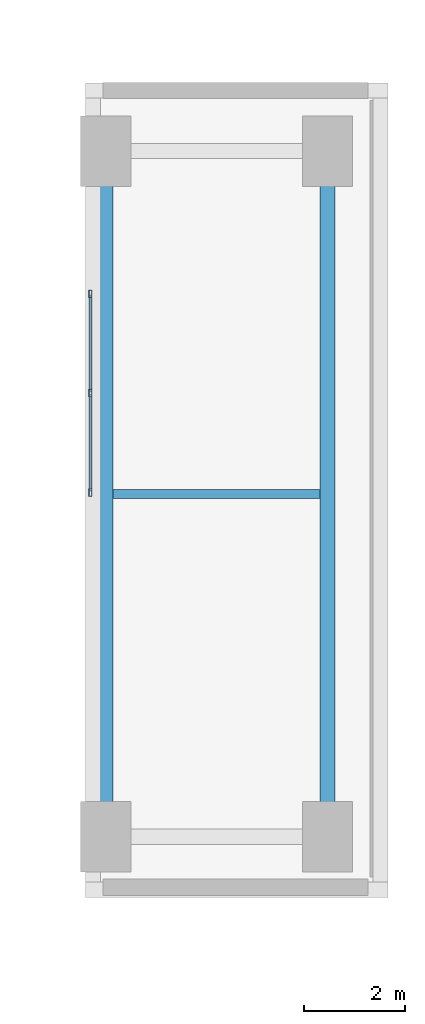
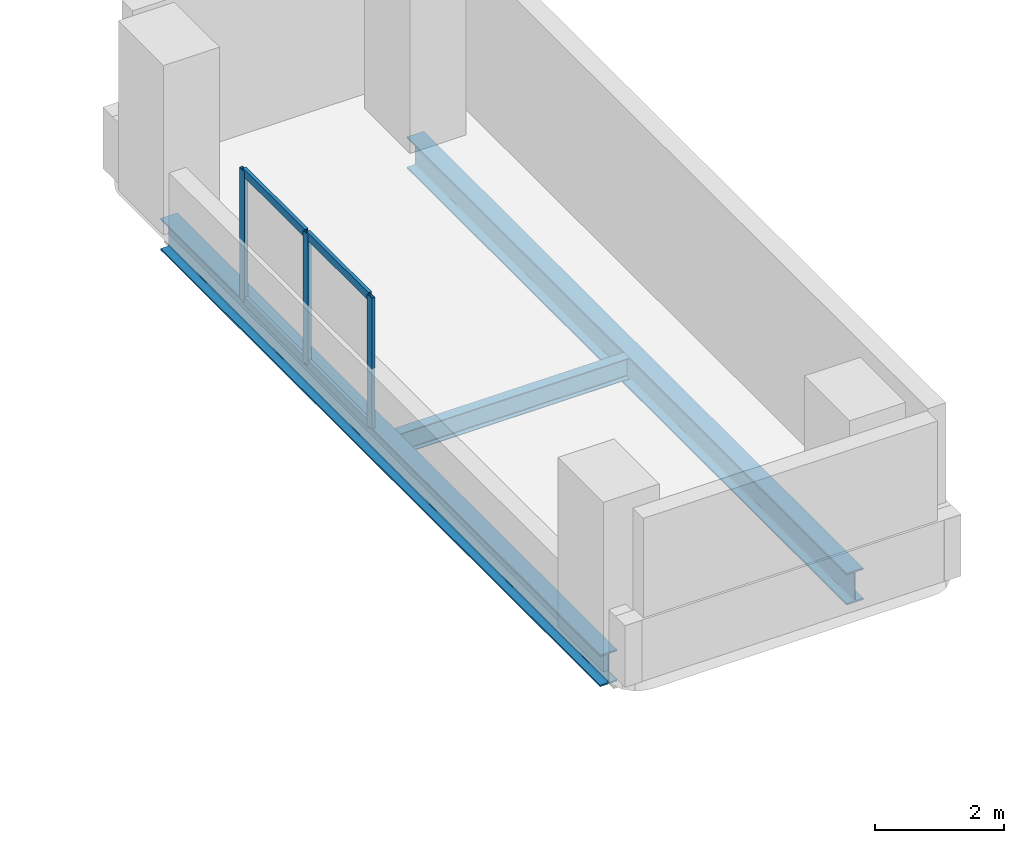
# One storey, part 4 of 12: 7 members, 3 beams, 1 element without a shape of its own.
"""IFC4 building model written with IfcOpenShell, lengths in metres."""

from ifc_helpers import new_model, si_unit, direction, frame, origin, origin_2d, place, context, subcontext, project, spatial, hollow_rectangle, i_section, extrude, material, material_profile, profile_set, type_object, element, aggregate, save


model = new_model("IFC4")

# Units and contexts
model_context = context("Model", 3, precision=1e-05, world=origin(), true_north=direction((0.0, 1.0)))
body_context = subcontext(model_context, "Body", "Model", "MODEL_VIEW")
ifc_project = project(units=[si_unit("LENGTHUNIT", "METRE"), si_unit("AREAUNIT", "SQUARE_METRE"), si_unit("VOLUMEUNIT", "CUBIC_METRE"), si_unit("PLANEANGLEUNIT", "RADIAN"), si_unit("MASSUNIT", "GRAM", prefix="KILO")], contexts=[model_context])

# Site, building, storey
site_placement = place(None, origin())
site = spatial("IfcSite", under=ifc_project, at=site_placement, CompositionType="ELEMENT")
building_placement = place(site_placement, origin())
building = spatial("IfcBuilding", under=site, at=building_placement, Name="Kuzgunbayir Cultural Tower", CompositionType="ELEMENT")
storey_placement = place(building_placement, frame((0.0, 0.0, 30.199951171875)))
storey = spatial("IfcBuildingStorey", under=building, at=storey_placement, Name="L07", CompositionType="ELEMENT", Elevation=30.199951171875)

# Beams
ifc_material_1 = material(Name="Steel S355J2", Category="steel")
ifc_material_profile_1 = material_profile(ifc_material_1, i_section(OverallWidth=0.300048828125, OverallDepth=0.60009765625, WebThickness=0.015380859375, FlangeThickness=0.030029296875, FilletRadius=0.027099609375, at=origin_2d()), Name="HEB 600")
ifc_profile_set_1 = profile_set([ifc_material_profile_1], Name="Steel S355J2")
beam_type_1 = type_object("IfcBeamType", Name="BM-EXT-HEB600", PredefinedType="BEAM", material=ifc_profile_set_1)
for number, where, z_axis, x_axis, name in (
    (1, (41.199951171875, 27.60009765625, -0.530029296875), (0.0, 1.0, 0.0), (-1.0, 0.0, 0.0), "L07 Portal Pier West Girder"),
    (2, (45.60009765625, 27.60009765625, -0.530029296875), (0.0, 1.0, 0.0), (-1.0, 0.0, 0.0), "L07 Portal Pier East Girder"),
):
    element("IfcBeam", number, at=place(storey_placement, frame(where, z_axis=z_axis, x_axis=x_axis)), inside=storey, type_object=beam_type_1, Name=name, PredefinedType="BEAM", context=body_context, shape_type="SweptSolid", body=[
        extrude(i_section(OverallWidth=0.300048828125, OverallDepth=0.60009765625, WebThickness=0.015380859375, FlangeThickness=0.030029296875, FilletRadius=0.027099609375, at=origin_2d()), origin(), (0.0, 0.0, 1.0), 13.599853515625),
    ])
ifc_material_profile_2 = material_profile(ifc_material_1, i_section(OverallWidth=0.179931640625, OverallDepth=0.39990234375, WebThickness=0.008544921875, FlangeThickness=0.013427734375, FilletRadius=0.02099609375, at=origin_2d()), Name="IPE 400")
ifc_profile_set_2 = profile_set([ifc_material_profile_2], Name="Steel S355J2")
beam_type_2 = type_object("IfcBeamType", Name="BM-JST-IPE400", PredefinedType="JOIST", material=ifc_profile_set_2)
beam_placement = place(storey_placement, frame((41.35009765625, 34.39990234375, -0.429931640625), z_axis=(1.0, 0.0, 0.0), x_axis=(0.0, 1.0, 0.0)))
element("IfcBeam", 3, at=beam_placement, inside=storey, type_object=beam_type_2, Name="L07 Portal Pier Joist", PredefinedType="JOIST", context=body_context, shape_type="SweptSolid", body=[
    extrude(i_section(OverallWidth=0.179931640625, OverallDepth=0.39990234375, WebThickness=0.008544921875, FlangeThickness=0.013427734375, FilletRadius=0.02099609375, at=origin_2d()), origin(), (0.0, 0.0, 1.0), 4.099853515625),
])

# Curtain wall, members
ifc_material_2 = material(Name="Anodised Aluminium Framing", Category="aluminium")
curtain_wall_type = type_object("IfcCurtainWallType", Name="CW02-PORTAL-SOFFIT", PredefinedType="NOTDEFINED", material=ifc_material_2)
curtain_wall_placement = place(storey_placement, origin())
curtain_wall = element("IfcCurtainWall", 4, at=curtain_wall_placement, inside=storey, type_object=curtain_wall_type, Name="L07 Void-Portal East Jamb Curtain Wall", PredefinedType="NOTDEFINED")
ifc_material_profile_3 = material_profile(ifc_material_2, hollow_rectangle(XDim=0.06005859375, YDim=0.14990234375, WallThickness=0.00390625, at=origin_2d()), Name="RHS 150x60x4")
ifc_profile_set_3 = profile_set([ifc_material_profile_3], Name="Anodised Aluminium Framing")
member_type_1 = type_object("IfcMemberType", Name="MEM-CW-MULLION-150", PredefinedType="MULLION", material=ifc_profile_set_3)
member_1_placement = place(storey_placement, frame((40.89990234375, 34.429931640625, 0.0), z_axis=(0.0, 0.0, 1.0), x_axis=(-1.0, 0.0, 0.0)))
member_1 = element("IfcMember", 5, at=member_1_placement, type_object=member_type_1, Name="CW02 mullion 1", PredefinedType="MULLION", context=body_context, shape_type="SweptSolid", body=[
    extrude(hollow_rectangle(XDim=0.06005859375, YDim=0.14990234375, WallThickness=0.00390625, at=origin_2d()), origin(), (0.0, 0.0, 1.0), 2.469970703125),
])
member_2_placement = place(storey_placement, frame((40.89990234375, 36.39990234375, 0.0), z_axis=(0.0, 0.0, 1.0), x_axis=(-1.0, 0.0, 0.0)))
member_2 = element("IfcMember", 6, at=member_2_placement, type_object=member_type_1, Name="CW02 mullion 2", PredefinedType="MULLION", context=body_context, shape_type="SweptSolid", body=[
    extrude(hollow_rectangle(XDim=0.06005859375, YDim=0.14990234375, WallThickness=0.00390625, at=origin_2d()), origin(), (0.0, 0.0, 1.0), 2.469970703125),
])
member_3_placement = place(storey_placement, frame((40.89990234375, 38.3701171875, 0.0), z_axis=(0.0, 0.0, 1.0), x_axis=(-1.0, 0.0, 0.0)))
member_3 = element("IfcMember", 7, at=member_3_placement, type_object=member_type_1, Name="CW02 mullion 3", PredefinedType="MULLION", context=body_context, shape_type="SweptSolid", body=[
    extrude(hollow_rectangle(XDim=0.06005859375, YDim=0.14990234375, WallThickness=0.00390625, at=origin_2d()), origin(), (0.0, 0.0, 1.0), 2.469970703125),
])
ifc_material_profile_4 = material_profile(ifc_material_2, hollow_rectangle(XDim=0.06005859375, YDim=0.14990234375, WallThickness=0.00390625, at=origin_2d()), Name="RHS 150x60x4")
ifc_profile_set_4 = profile_set([ifc_material_profile_4], Name="Anodised Aluminium Framing")
member_type_2 = type_object("IfcMemberType", Name="MEM-CW-TRANSOM-150", PredefinedType="USERDEFINED", material=ifc_profile_set_4)
member_4_placement = place(storey_placement, frame((40.89990234375, 34.4599609375, 0.030029296875), z_axis=(0.0, 1.0, 0.0), x_axis=(-1.0, 0.0, 0.0)))
member_4 = element("IfcMember", 8, at=member_4_placement, type_object=member_type_2, Name="CW02 transom 1.1", ObjectType="TRANSOM", PredefinedType="USERDEFINED", context=body_context, shape_type="SweptSolid", body=[
    extrude(hollow_rectangle(XDim=0.06005859375, YDim=0.14990234375, WallThickness=0.00390625, at=origin_2d()), origin(), (0.0, 0.0, 1.0), 1.91015625),
])
member_5_placement = place(storey_placement, frame((40.89990234375, 34.4599609375, 2.43994140625), z_axis=(0.0, 1.0, 0.0), x_axis=(-1.0, 0.0, 0.0)))
member_5 = element("IfcMember", 9, at=member_5_placement, type_object=member_type_2, Name="CW02 transom 1.2", ObjectType="TRANSOM", PredefinedType="USERDEFINED", context=body_context, shape_type="SweptSolid", body=[
    extrude(hollow_rectangle(XDim=0.06005859375, YDim=0.14990234375, WallThickness=0.00390625, at=origin_2d()), origin(), (0.0, 0.0, 1.0), 1.91015625),
])
member_6_placement = place(storey_placement, frame((40.89990234375, 36.429931640625, 0.030029296875), z_axis=(0.0, 1.0, 0.0), x_axis=(-1.0, 0.0, 0.0)))
member_6 = element("IfcMember", 10, at=member_6_placement, type_object=member_type_2, Name="CW02 transom 2.1", ObjectType="TRANSOM", PredefinedType="USERDEFINED", context=body_context, shape_type="SweptSolid", body=[
    extrude(hollow_rectangle(XDim=0.06005859375, YDim=0.14990234375, WallThickness=0.00390625, at=origin_2d()), origin(), (0.0, 0.0, 1.0), 1.91015625),
])
member_7_placement = place(storey_placement, frame((40.89990234375, 36.429931640625, 2.43994140625), z_axis=(0.0, 1.0, 0.0), x_axis=(-1.0, 0.0, 0.0)))
member_7 = element("IfcMember", 11, at=member_7_placement, type_object=member_type_2, Name="CW02 transom 2.2", ObjectType="TRANSOM", PredefinedType="USERDEFINED", context=body_context, shape_type="SweptSolid", body=[
    extrude(hollow_rectangle(XDim=0.06005859375, YDim=0.14990234375, WallThickness=0.00390625, at=origin_2d()), origin(), (0.0, 0.0, 1.0), 1.91015625),
])
aggregate(curtain_wall, [member_1, member_2, member_3, member_4, member_5, member_6, member_7])

save(model, "model.ifc")
